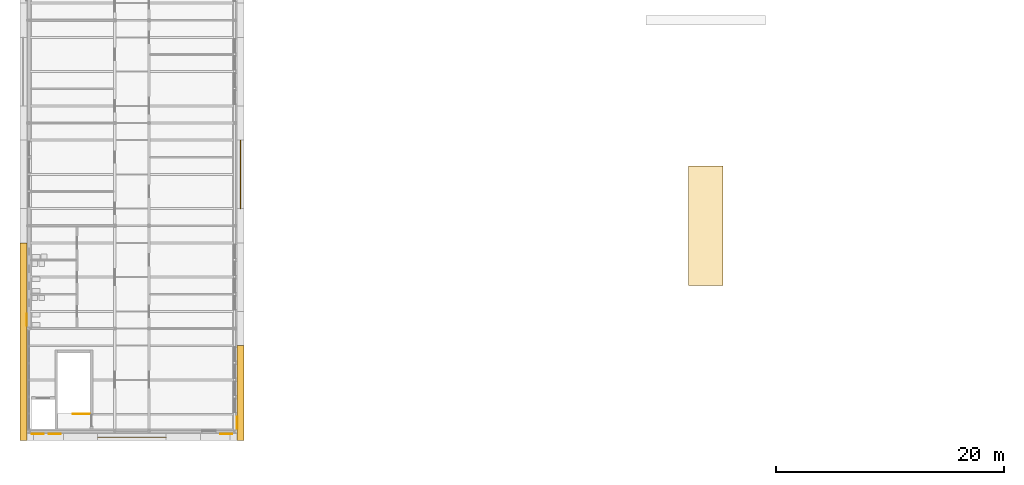
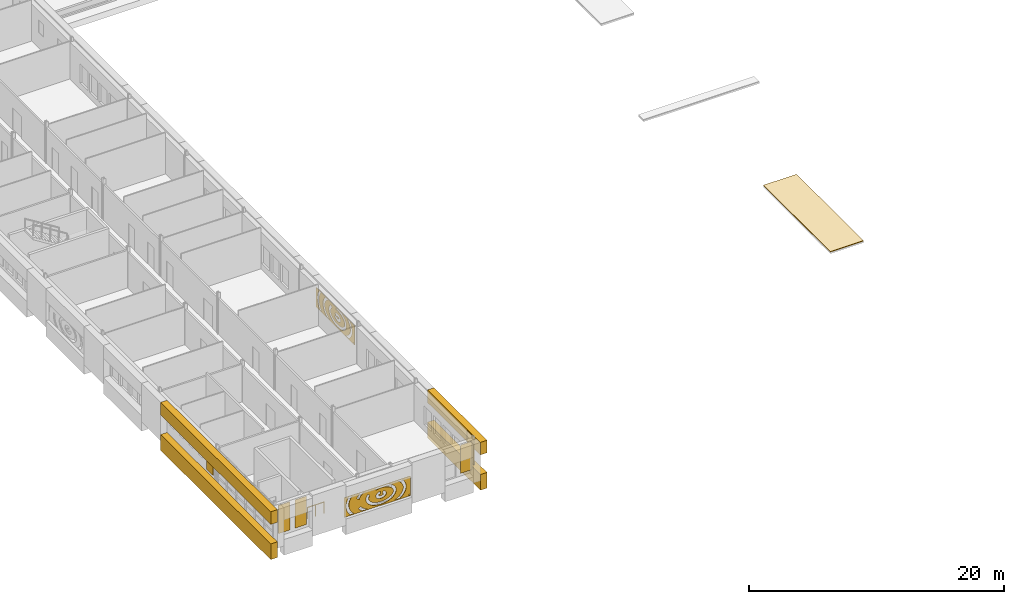
# One storey, part 34 of 42: 12 coverings, 1 railing.
"""IFC4 building model written with IfcOpenShell, lengths in metres."""

import ifcopenshell
import ifcopenshell.guid

model = None  # the IFC model being written
_history = None  # IfcOwnerHistory: only IFC2X3 demands one
_inside = {}  # id of a spatial element -> (the spatial element, [elements in it])
_under = {}  # id of a project, library or spatial element -> (it, [spatial elements below it])
_declared = {}  # id of a project -> (the project, [libraries it declares])
_typed = {}  # id of a type object -> (the type object, [elements of that type])
_made_of = {}  # id of a material, layer set ... -> (it, [elements and type objects made of it])


def new_model(schema):
    """Start an empty IFC model of exactly this schema.

    Asked for "IFC4X3", IfcOpenShell would pick the latest addendum, in which some entities
    have other attributes; the version numbers below select the first issue.
    IFC2X3 requires an IfcOwnerHistory on every rooted entity: one is made here for all.
    """
    global model, _history
    if schema == "IFC4X3":
        model = ifcopenshell.file(schema_version=(4, 3, 0, 0))
    else:
        model = ifcopenshell.file(schema=schema)
    _inside.clear()
    _under.clear()
    _declared.clear()
    _typed.clear()
    _made_of.clear()
    _history = None
    if model.schema == "IFC2X3":
        org = make("IfcOrganization", Name="unknown")
        user = make(
            "IfcPersonAndOrganization",
            ThePerson=make("IfcPerson", FamilyName="unknown"),
            TheOrganization=org,
        )
        app = make(
            "IfcApplication",
            ApplicationDeveloper=org,
            Version="unknown",
            ApplicationFullName="unknown",
            ApplicationIdentifier="unknown",
        )
        _history = make(
            "IfcOwnerHistory",
            OwningUser=user,
            OwningApplication=app,
            ChangeAction="ADDED",
            CreationDate=0,
        )
    return model


def make(cls, **values):
    """One entity of the class cls with the attributes given. An attribute that is None is left unset."""
    return model.create_entity(
        cls, **{name: value for name, value in values.items() if value is not None}
    )


def rooted(cls, **values):
    """An entity with a GlobalId (a new one), such as an element, a storey or a relation."""
    return make(cls, GlobalId=ifcopenshell.guid.new(), OwnerHistory=_history, **values)


def si_unit(unit_type, name, prefix=None):
    """IfcSIUnit, for example si_unit("LENGTHUNIT", "METRE", prefix="MILLI")."""
    return make("IfcSIUnit", UnitType=unit_type, Prefix=prefix, Name=name)


def assignment(units):
    """IfcUnitAssignment: the units of a project."""
    return None if units is None else make("IfcUnitAssignment", Units=units)


def point(xyz):
    """IfcCartesianPoint."""
    return None if xyz is None else make("IfcCartesianPoint", Coordinates=xyz)


def direction(xyz):
    """IfcDirection."""
    return None if xyz is None else make("IfcDirection", DirectionRatios=xyz)


def frame(location, z_axis=None, x_axis=None):
    """IfcAxis2Placement3D, a coordinate frame: its origin and axes. An axis left out is left unset."""
    return make(
        "IfcAxis2Placement3D",
        Location=point(location),
        Axis=direction(z_axis),
        RefDirection=direction(x_axis),
    )


def frame_2d(location, x_axis=None):
    """IfcAxis2Placement2D, a coordinate frame in the plane: its origin and x axis."""
    return make(
        "IfcAxis2Placement2D", Location=point(location), RefDirection=direction(x_axis)
    )


def origin():
    """The frame at (0, 0, 0) with its axes left unset."""
    return frame((0.0, 0.0, 0.0))


def origin_2d():
    """The frame at (0, 0) in the plane with its x axis left unset."""
    return frame_2d((0.0, 0.0))


def place(relative_to, where):
    """IfcLocalPlacement: puts the frame where relative to a parent placement (None: the world)."""
    return make(
        "IfcLocalPlacement", PlacementRelTo=relative_to, RelativePlacement=where
    )


def context(
    kind, dimensions, precision=None, world=None, true_north=None, identifier=None
):
    """IfcGeometricRepresentationContext, for example the 3D "Model" context."""
    return make(
        "IfcGeometricRepresentationContext",
        ContextIdentifier=identifier,
        ContextType=kind,
        CoordinateSpaceDimension=dimensions,
        Precision=precision,
        WorldCoordinateSystem=world,
        TrueNorth=true_north,
    )


def subcontext(parent, identifier, kind, view, scale=None):
    """IfcGeometricRepresentationSubContext, for example "Body" below "Model"."""
    return make(
        "IfcGeometricRepresentationSubContext",
        ContextIdentifier=identifier,
        ContextType=kind,
        ParentContext=parent,
        TargetScale=scale,
        TargetView=view,
    )


def project(units=None, contexts=None):
    """IfcProject with its units and contexts."""
    return rooted(
        "IfcProject",
        Name="project",
        RepresentationContexts=contexts,
        UnitsInContext=assignment(units),
    )


def spatial(cls, under=None, at=None, **own):
    """A site, building, storey or space (cls), placed at a placement, below another one or the project."""
    s = rooted(cls, ObjectPlacement=at, **own)
    if under is not None:
        _under.setdefault(under.id(), (under, []))[1].append(s)
    return s


def polyline(points):
    """IfcPolyline through the points."""
    return make("IfcPolyline", Points=[point(p) for p in points])


def profile(cls, at=None, kind="AREA", **sizes):
    """A parametric profile (cls). Its sizes go by their IFC names, for example OverallWidth=200.0."""
    return make(cls, ProfileType=kind, Position=at, **sizes)


def circle(**sizes):
    """IfcCircleProfileDef."""
    return profile("IfcCircleProfileDef", **sizes)


def outline(outer, holes=None, kind="AREA"):
    """IfcArbitraryClosedProfileDef: a profile drawn as a closed curve; with holes, ...WithVoids."""
    if holes is None:
        return make("IfcArbitraryClosedProfileDef", ProfileType=kind, OuterCurve=outer)
    return make(
        "IfcArbitraryProfileDefWithVoids",
        ProfileType=kind,
        OuterCurve=outer,
        InnerCurves=holes,
    )


def extrude(swept, where, along, depth):
    """IfcExtrudedAreaSolid: the profile swept, set in the frame where, extruded along a direction by depth."""
    return make(
        "IfcExtrudedAreaSolid",
        SweptArea=swept,
        Position=where,
        ExtrudedDirection=direction(along),
        Depth=depth,
    )


def shape(context_of_items, identifier, shape_type, items):
    """IfcShapeRepresentation: the items that make up one representation, for example the "Body"."""
    return make(
        "IfcShapeRepresentation",
        ContextOfItems=context_of_items,
        RepresentationIdentifier=identifier,
        RepresentationType=shape_type,
        Items=items,
    )


def material(Name=None, Category=None):
    """IfcMaterial."""
    return make("IfcMaterial", Name=Name, Category=Category)


def layer(
    of_material, thickness, ventilated=None, Name=None, Category=None, Priority=None
):
    """IfcMaterialLayer: one layer of a wall or slab, of a material (None: an air gap)."""
    return make(
        "IfcMaterialLayer",
        Material=of_material,
        LayerThickness=thickness,
        IsVentilated=ventilated,
        Name=Name,
        Category=Category,
        Priority=Priority,
    )


def layer_set(layers, Name=None):
    """IfcMaterialLayerSet."""
    return make("IfcMaterialLayerSet", MaterialLayers=layers, LayerSetName=Name)


def made_of(thing, what):
    """Note that an element or type object is made of a material, layer set ...; save() writes the relation."""
    if what is not None:
        _made_of.setdefault(what.id(), (what, []))[1].append(thing)
    return thing


def type_object(cls, material=None, **own):
    """A type object (cls), such as IfcWallType, which elements share."""
    return made_of(rooted(cls, **own), material)


def element(
    cls,
    number,
    at=None,
    inside=None,
    cuts=None,
    type_object=None,
    material=None,
    context=None,
    identifier="Body",
    shape_type=None,
    held_by="IfcProductDefinitionShape",
    body=None,
    shapes=None,
    **own,
):
    """One element of the class cls, such as IfcWall. Its Tag is "e" and its number.

    at: its placement. inside: the storey or other place that contains it. cuts: it is an
    opening in that element (IfcRelVoidsElement). A single representation is given by context,
    identifier, shape_type and body (its items); several are given by shapes. held_by: the class
    of the entity that holds the representations. save() writes the other relations.
    """
    e = rooted(cls, Tag="e%d" % number, ObjectPlacement=at, **own)
    if body is not None:
        shapes = [shape(context, identifier, shape_type, body)]
    if shapes is not None:
        e.Representation = make(held_by, Representations=shapes)
    if inside is not None:
        _inside.setdefault(inside.id(), (inside, []))[1].append(e)
    if cuts is not None:
        rooted(
            "IfcRelVoidsElement", RelatingBuildingElement=cuts, RelatedOpeningElement=e
        )
    if type_object is not None:
        _typed.setdefault(type_object.id(), (type_object, []))[1].append(e)
    return made_of(e, material)


def aggregate(whole, parts):
    """IfcRelAggregates: a whole, such as a stair, and the parts it consists of."""
    return rooted("IfcRelAggregates", RelatingObject=whole, RelatedObjects=parts)


def save(model, path):
    """Write the relations noted so far, then the file.

    IfcRelAggregates (storeys below a building ...), IfcRelContainedInSpatialStructure (elements
    in a storey), IfcRelDefinesByType, IfcRelAssociatesMaterial and IfcRelDeclares: one each for
    every whole, place, type object, material and project.
    """
    for whole, parts in _under.values():
        aggregate(whole, parts)
    for where, things in _inside.values():
        rooted(
            "IfcRelContainedInSpatialStructure",
            RelatedElements=things,
            RelatingStructure=where,
        )
    for kind, things in _typed.values():
        rooted("IfcRelDefinesByType", RelatedObjects=things, RelatingType=kind)
    for what, things in _made_of.values():
        rooted("IfcRelAssociatesMaterial", RelatedObjects=things, RelatingMaterial=what)
    for by, libraries in _declared.values():
        rooted("IfcRelDeclares", RelatingContext=by, RelatedDefinitions=libraries)
    model.write(path)


model = new_model("IFC4")

# Units and contexts
model_context = context("Model", 3, precision=1e-05, world=origin(), true_north=direction((0.0, 1.0)))
body_context = subcontext(model_context, "Body", "Model", "MODEL_VIEW")
ifc_project = project(units=[si_unit("LENGTHUNIT", "METRE"), si_unit("AREAUNIT", "SQUARE_METRE"), si_unit("VOLUMEUNIT", "CUBIC_METRE"), si_unit("PLANEANGLEUNIT", "RADIAN"), si_unit("MASSUNIT", "GRAM", prefix="KILO")], contexts=[model_context])

# Site, building, storey
site_placement = place(None, origin())
site = spatial("IfcSite", under=ifc_project, at=site_placement, CompositionType="ELEMENT")
building_placement = place(site_placement, origin())
building = spatial("IfcBuilding", under=site, at=building_placement, Name="Golden Quay Civic Hall", CompositionType="ELEMENT")
storey_placement = place(building_placement, frame((0.0, 0.0, 22.800048828125)))
storey = spatial("IfcBuildingStorey", under=building, at=storey_placement, Name="L05", CompositionType="ELEMENT", Elevation=22.800048828125)

# Coverings
ifc_material_1 = material(Name="Clay roof tile")
ifc_layer_1 = layer(ifc_material_1, 0.06005859375)
ifc_layer_set_1 = layer_set([ifc_layer_1], Name="Clay roof tile 60")
covering_type_1 = type_object("IfcCoveringType", Name="Clay roof tile 60", PredefinedType="ROOFING", material=ifc_layer_set_1)
covering_1_placement = place(storey_placement, frame((0.0, 0.0, -0.1474609375)))
element("IfcCovering", 1, at=covering_1_placement, inside=storey, type_object=covering_type_1, Name="Roof tiles WM-S cap", PredefinedType="ROOFING", context=body_context, shape_type="SweptSolid", body=[
    extrude(outline(polyline([(57.75, 3.75), (60.75, 3.75), (60.75, 14.25), (57.75, 14.25), (57.75, 3.75)])), origin(), (0.0, 0.0, 1.0), 0.059814453125),
])
ifc_material_2 = material(Name="Aluminium, golden anodised, perforated", Category="aluminium")
ifc_layer_2 = layer(ifc_material_2, 0.0400390625)
ifc_layer_set_2 = layer_set([ifc_layer_2], Name="Perforated screen panel 6000 x 1880 x 40")
covering_type_2 = type_object("IfcCoveringType", Name="Perforated screen panel 6000 x 1880 x 40", PredefinedType="CLADDING", material=ifc_layer_set_2)
covering_2_placement = place(storey_placement, frame((18.5, 13.5, 1.5400390625), z_axis=(1.0, 0.0, 0.0), x_axis=(0.0, 1.0, 0.0)))
element("IfcCovering", 2, at=covering_2_placement, inside=storey, type_object=covering_type_2, Name="Perforated screen panel 6000 x 1880 x 40 L05 4", PredefinedType="CLADDING", context=body_context, shape_type="SweptSolid", body=[
    extrude(outline(polyline([(-3.0, -0.93994140625), (3.0, -0.93994140625), (3.0, 0.93994140625), (-3.0, 0.93994140625), (-3.0, -0.93994140625)]), holes=[polyline([(-0.148681640625, 0.11083984375), (-0.189208984375, 0.136962890625), (-0.24951171875, 0.158447265625), (-0.32177734375, 0.169677734375), (-0.37255859375, 0.169921875), (-0.422119140625, 0.164306640625), (-0.48828125, 0.146484375), (-0.53759765625, 0.12158203125), (-0.55810546875, 0.1044921875), (-0.571533203125, 0.08642578125), (-0.571044921875, 0.07275390625), (-0.556396484375, 0.053466796875), (-0.534423828125, 0.036376953125), (-0.502685546875, 0.019287109375), (-0.462646484375, 0.0048828125), (-0.41650390625, -0.00537109375), (-0.34130859375, -0.010498046875), (-0.26708984375, -0.00244140625), (-0.202880859375, 0.016845703125), (-0.169921875, 0.03369140625), (-0.146484375, 0.051025390625), (-0.133056640625, 0.06591796875), (-0.124267578125, 0.08349609375), (0.106201171875, -0.02099609375), (0.077880859375, -0.073974609375), (0.04541015625, -0.114990234375), (-0.001220703125, -0.156982421875), (-0.04150390625, -0.184326171875), (-0.100830078125, -0.214599609375), (-0.1748046875, -0.240234375), (-0.220947265625, -0.251220703125), (-0.2998046875, -0.26171875), (-0.37255859375, -0.262939453125), (-0.412353515625, -0.260498046875), (-0.49853515625, -0.2470703125), (-0.56591796875, -0.2275390625), (-0.6015625, -0.21337890625), (-0.668212890625, -0.17822265625), (-0.7080078125, -0.149658203125), (-0.736328125, -0.1240234375), (-0.761962890625, -0.095703125), (-0.7841796875, -0.064208984375), (-0.802490234375, -0.02978515625), (-0.81591796875, 0.007080078125), (-0.825927734375, 0.06591796875), (-0.822509765625, 0.123779296875), (-0.813232421875, 0.16162109375), (-0.799072265625, 0.197021484375), (-0.780517578125, 0.229736328125), (-0.758544921875, 0.260009765625), (-0.70556640625, 0.3115234375), (-0.6435546875, 0.352783203125), (-0.574462890625, 0.384521484375), (-0.5, 0.40673828125), (-0.461181640625, 0.414306640625), (-0.389404296875, 0.42236328125), (-0.30908203125, 0.422119140625), (-0.261962890625, 0.417724609375), (-0.183837890625, 0.402587890625), (-0.11767578125, 0.38134765625), (-0.073974609375, 0.362060546875), (-0.017578125, 0.328857421875), (0.021240234375, 0.29833984375), (0.063720703125, 0.25341796875), (-0.12939453125, 0.090087890625), (-0.148681640625, 0.11083984375)]), polyline([(-0.28271484375, 0.727294921875), (-0.37158203125, 0.728515625), (-0.460205078125, 0.725341796875), (-0.54833984375, 0.718017578125), (-0.63525390625, 0.70654296875), (-0.72021484375, 0.69140625), (-0.802734375, 0.672119140625), (-0.88232421875, 0.64892578125), (-0.95849609375, 0.62255859375), (-1.030517578125, 0.592529296875), (-1.098388671875, 0.559814453125), (-1.1611328125, 0.524169921875), (-1.21875, 0.486083984375), (-1.27099609375, 0.4462890625), (-1.317138671875, 0.404541015625), (-1.357421875, 0.36181640625), (-1.391357421875, 0.318115234375), (-1.419189453125, 0.274169921875), (-1.441162109375, 0.230224609375), (-1.457275390625, 0.186279296875), (-1.4677734375, 0.142578125), (-1.472900390625, 0.09912109375), (-1.472412109375, 0.0556640625), (-1.466796875, 0.01220703125), (-1.455810546875, -0.031494140625), (-1.43896484375, -0.075439453125), (-1.416259765625, -0.119384765625), (-1.3876953125, -0.163330078125), (-1.352783203125, -0.206787109375), (-1.31201171875, -0.24951171875), (-1.264892578125, -0.291015625), (-1.21240234375, -0.330810546875), (-1.154052734375, -0.368408203125), (-1.090576171875, -0.40380859375), (-1.022216796875, -0.436279296875), (-0.94970703125, -0.4658203125), (-0.873046875, -0.491943359375), (-0.793212890625, -0.514404296875), (-0.710205078125, -0.533203125), (-0.625, -0.548095703125), (-0.5380859375, -0.55908203125), (-0.449951171875, -0.56591796875), (-0.361083984375, -0.568603515625), (-0.272216796875, -0.56689453125), (-0.18359375, -0.561279296875), (-0.096435546875, -0.55126953125), (-0.0107421875, -0.537353515625), (0.07275390625, -0.51953125), (0.153564453125, -0.497802734375), (0.23095703125, -0.47265625), (0.3046875, -0.44384765625), (0.3740234375, -0.412109375), (0.438720703125, -0.37744140625), (0.498291015625, -0.34033203125), (0.552490234375, -0.301025390625), (0.600830078125, -0.260009765625), (0.643310546875, -0.217529296875), (0.6796875, -0.17431640625), (0.709716796875, -0.13037109375), (0.73388671875, -0.086181640625), (0.752197265625, -0.042236328125), (0.7646484375, 0.00146484375), (0.771484375, 0.044921875), (0.773193359375, 0.08837890625), (0.76953125, 0.1318359375), (0.760498046875, 0.17529296875), (0.745849609375, 0.21923828125), (0.725341796875, 0.26318359375), (0.698974609375, 0.307373046875), (0.666259765625, 0.35107421875), (0.627685546875, 0.39404296875), (0.5830078125, 0.43603515625), (0.528564453125, 0.4794921875), (0.6865234375, 0.677001953125), (0.74462890625, 0.630615234375), (0.8046875, 0.57470703125), (0.8583984375, 0.515625), (0.905517578125, 0.453369140625), (0.945556640625, 0.3876953125), (0.97802734375, 0.3193359375), (1.002685546875, 0.24853515625), (1.018798828125, 0.17578125), (1.02587890625, 0.10205078125), (1.02392578125, 0.027587890625), (1.01318359375, -0.046142578125), (0.993408203125, -0.11865234375), (0.96484375, -0.189208984375), (0.928466796875, -0.25732421875), (0.884521484375, -0.322509765625), (0.83349609375, -0.38427734375), (0.768310546875, -0.449462890625), (0.704833984375, -0.5029296875), (0.643310546875, -0.547607421875), (0.561767578125, -0.598388671875), (0.48291015625, -0.640380859375), (0.399658203125, -0.67822265625), (0.312744140625, -0.7119140625), (0.228759765625, -0.7392578125), (0.12890625, -0.76611328125), (0.032958984375, -0.78662109375), (-0.06494140625, -0.80224609375), (-0.164306640625, -0.813232421875), (-0.2646484375, -0.819580078125), (-0.359619140625, -0.8212890625), (-0.460205078125, -0.818603515625), (-0.560546875, -0.81103515625), (-0.659423828125, -0.798828125), (-0.76318359375, -0.780517578125), (-0.852294921875, -0.760498046875), (-0.945068359375, -0.734375), (-1.03466796875, -0.7041015625), (-1.12060546875, -0.669189453125), (-1.202880859375, -0.63037109375), (-1.280517578125, -0.58740234375), (-1.361083984375, -0.535400390625), (-1.421142578125, -0.489990234375), (-1.4833984375, -0.435546875), (-1.546875, -0.369140625), (-1.59619140625, -0.306640625), (-1.63818359375, -0.24072265625), (-1.6669921875, -0.184814453125), (-1.694580078125, -0.11474609375), (-1.7138671875, -0.042724609375), (-1.724365234375, 0.03076171875), (-1.724853515625, 0.12060546875), (-1.715576171875, 0.194091796875), (-1.70166015625, 0.252197265625), (-1.67626953125, 0.32373046875), (-1.642822265625, 0.392822265625), (-1.6015625, 0.458984375), (-1.552978515625, 0.52197265625), (-1.497802734375, 0.58154296875), (-1.436279296875, 0.637451171875), (-1.36181640625, 0.69482421875), (-1.28955078125, 0.7421875), (-1.219482421875, 0.78173828125), (-1.130615234375, 0.824951171875), (-1.0517578125, 0.857666015625), (-0.98779296875, 0.8798828125), (-0.085693359375, 0.8798828125), (-0.103515625, 0.71240234375), (-0.194091796875, 0.72216796875), (-0.28271484375, 0.727294921875)]), polyline([(-1.856689453125, 0.8798828125), (-1.965087890625, 0.802001953125), (-2.039794921875, 0.73876953125), (-2.107177734375, 0.673095703125), (-2.167236328125, 0.605712890625), (-2.219482421875, 0.536865234375), (-2.26416015625, 0.466552734375), (-2.30126953125, 0.395751953125), (-2.330322265625, 0.32421875), (-2.35205078125, 0.252197265625), (-2.3662109375, 0.180419921875), (-2.372802734375, 0.108154296875), (-2.3720703125, 0.0361328125), (-2.36376953125, -0.035888671875), (-2.347900390625, -0.10791015625), (-2.32470703125, -0.1796875), (-2.293701171875, -0.251220703125), (-2.255126953125, -0.322021484375), (-2.208740234375, -0.391845703125), (-2.15478515625, -0.46044921875), (-2.093017578125, -0.527587890625), (-2.024169921875, -0.5927734375), (-1.947998046875, -0.655517578125), (-1.86474609375, -0.715576171875), (-1.77490234375, -0.7724609375), (-1.67919921875, -0.825927734375), (-1.568115234375, -0.8798828125), (-2.06884765625, -0.8798828125), (-2.09912109375, -0.858154296875), (-2.18798828125, -0.78515625), (-2.2763671875, -0.701904296875), (-2.34423828125, -0.628173828125), (-2.41064453125, -0.544189453125), (-2.468994140625, -0.457275390625), (-2.5185546875, -0.3671875), (-2.55908203125, -0.27490234375), (-2.590576171875, -0.18017578125), (-2.6123046875, -0.083740234375), (-2.6240234375, 0.013916015625), (-2.625732421875, 0.11181640625), (-2.617431640625, 0.2099609375), (-2.59619140625, 0.3193359375), (-2.56689453125, 0.414306640625), (-2.5283203125, 0.50732421875), (-2.48046875, 0.597900390625), (-2.424072265625, 0.685546875), (-2.365478515625, 0.7626953125), (-2.293212890625, 0.8447265625), (-2.257080078125, 0.8798828125), (-1.856689453125, 0.8798828125)]), polyline([(0.867919921875, -0.8798828125), (0.981689453125, -0.82470703125), (1.077392578125, -0.77099609375), (1.1669921875, -0.714111328125), (1.25, -0.65380859375), (1.325927734375, -0.591064453125), (1.394775390625, -0.52587890625), (1.456298828125, -0.458740234375), (1.510009765625, -0.39013671875), (1.55615234375, -0.3203125), (1.5947265625, -0.24951171875), (1.62548828125, -0.177978515625), (1.6484375, -0.106201171875), (1.6640625, -0.0341796875), (1.672119140625, 0.037841796875), (1.672607421875, 0.110107421875), (1.666015625, 0.18212890625), (1.651611328125, 0.254150390625), (1.6298828125, 0.325927734375), (1.600341796875, 0.3974609375), (1.563232421875, 0.468505859375), (1.518310546875, 0.53857421875), (1.4658203125, 0.607421875), (1.405517578125, 0.6748046875), (1.337890625, 0.740234375), (1.26318359375, 0.803466796875), (1.156982421875, 0.8798828125), (1.557373046875, 0.8798828125), (1.59130859375, 0.8466796875), (1.663818359375, 0.7646484375), (1.72265625, 0.687744140625), (1.779296875, 0.60009765625), (1.83203125, 0.499267578125), (1.865966796875, 0.416748046875), (1.8955078125, 0.321533203125), (1.9169921875, 0.21240234375), (1.925048828125, 0.127197265625), (1.925048828125, 0.029296875), (1.91259765625, -0.081298828125), (1.89111328125, -0.177734375), (1.860107421875, -0.2724609375), (1.819580078125, -0.364990234375), (1.770263671875, -0.455078125), (1.71240234375, -0.5419921875), (1.652099609375, -0.61865234375), (1.578125, -0.7001953125), (1.49658203125, -0.777587890625), (1.40771484375, -0.851318359375), (1.368896484375, -0.8798828125), (0.867919921875, -0.8798828125)]), polyline([(-2.93994140625, -0.732177734375), (-2.83642578125, -0.843017578125), (-2.79638671875, -0.8798828125), (-2.93994140625, -0.8798828125), (-2.93994140625, -0.732177734375)]), polyline([(2.178955078125, -0.80029296875), (2.255615234375, -0.71533203125), (2.323974609375, -0.62841796875), (2.38427734375, -0.5400390625), (2.436279296875, -0.4501953125), (2.47998046875, -0.359375), (2.51513671875, -0.267578125), (2.5419921875, -0.17529296875), (2.560791015625, -0.082763671875), (2.571044921875, 0.010009765625), (2.5732421875, 0.10302734375), (2.56689453125, 0.196044921875), (2.552490234375, 0.288818359375), (2.52978515625, 0.381103515625), (2.498779296875, 0.47314453125), (2.459228515625, 0.564453125), (2.41162109375, 0.65478515625), (2.35546875, 0.744140625), (2.291015625, 0.831787109375), (2.25048828125, 0.8798828125), (2.568603515625, 0.8798828125), (2.6328125, 0.77734375), (2.685302734375, 0.67822265625), (2.73291015625, 0.568603515625), (2.774169921875, 0.447021484375), (2.801513671875, 0.3330078125), (2.819091796875, 0.218505859375), (2.826171875, 0.10302734375), (2.822998046875, -0.01220703125), (2.809814453125, -0.127197265625), (2.7890625, -0.23046875), (2.753173828125, -0.353515625), (2.710205078125, -0.464111328125), (2.662109375, -0.56396484375), (2.595947265625, -0.678466796875), (2.525390625, -0.781494140625), (2.447509765625, -0.8798828125), (2.097412109375, -0.8798828125), (2.178955078125, -0.80029296875)])]), origin(), (0.0, 0.0, 1.0), 0.0400390625),
])
covering_3_placement = place(storey_placement, frame((9.0, -9.5, 1.5400390625), z_axis=(0.0, -1.0, 0.0), x_axis=(1.0, 0.0, 0.0)))
element("IfcCovering", 3, at=covering_3_placement, inside=storey, type_object=covering_type_2, Name="Perforated screen panel 6000 x 1880 x 40 L05 6", PredefinedType="CLADDING", context=body_context, shape_type="SweptSolid", body=[
    extrude(outline(polyline([(-3.0, -0.93994140625), (3.0, -0.93994140625), (3.0, 0.93994140625), (-3.0, 0.93994140625), (-3.0, -0.93994140625)]), holes=[polyline([(0.25927734375, 0.160888671875), (0.197021484375, 0.140380859375), (0.153076171875, 0.114501953125), (0.136474609375, 0.0986328125), (0.12744140625, 0.083740234375), (0.12841796875, 0.073486328125), (0.135498046875, 0.0625), (0.162841796875, 0.038330078125), (0.212158203125, 0.01318359375), (0.278564453125, -0.00439453125), (0.328125, -0.010009765625), (0.37890625, -0.009521484375), (0.451171875, 0.001708984375), (0.4931640625, 0.015380859375), (0.54052734375, 0.040771484375), (0.56005859375, 0.057373046875), (0.56982421875, 0.0703125), (0.5732421875, 0.0791015625), (0.570556640625, 0.08837890625), (0.55419921875, 0.1083984375), (0.531005859375, 0.125732421875), (0.474609375, 0.151611328125), (0.56494140625, 0.387939453125), (0.635986328125, 0.35693359375), (0.69140625, 0.322509765625), (0.74658203125, 0.2734375), (0.779052734375, 0.232177734375), (0.806884765625, 0.178955078125), (0.822509765625, 0.1240234375), (0.82568359375, 0.064697265625), (0.816162109375, 0.0078125), (0.793701171875, -0.0478515625), (0.764404296875, -0.0927734375), (0.721923828125, -0.1376953125), (0.68310546875, -0.168212890625), (0.626953125, -0.20166015625), (0.554931640625, -0.231201171875), (0.509521484375, -0.244384765625), (0.431640625, -0.258544921875), (0.359130859375, -0.26318359375), (0.279296875, -0.259765625), (0.201171875, -0.246826171875), (0.1552734375, -0.234619140625), (0.08251953125, -0.206298828125), (0.025146484375, -0.174072265625), (-0.03271484375, -0.127685546875), (-0.06689453125, -0.089111328125), (-0.0986328125, -0.037841796875), (-0.1181640625, 0.014892578125), (-0.126220703125, 0.07421875), (-0.12109375, 0.132080078125), (-0.102783203125, 0.18896484375), (-0.076171875, 0.236328125), (-0.037109375, 0.283447265625), (0.00048828125, 0.31640625), (0.0546875, 0.351806640625), (0.125, 0.38427734375), (0.200439453125, 0.40673828125), (0.279296875, 0.419921875), (0.311279296875, 0.1689453125), (0.25927734375, 0.160888671875)]), polyline([(-0.719482421875, 0.27392578125), (-0.741455078125, 0.22998046875), (-0.75732421875, 0.18603515625), (-0.767822265625, 0.142333984375), (-0.772705078125, 0.098876953125), (-0.7724609375, 0.055419921875), (-0.766845703125, 0.011962890625), (-0.755615234375, -0.03173828125), (-0.73876953125, -0.07568359375), (-0.71630859375, -0.11962890625), (-0.6875, -0.16357421875), (-0.652587890625, -0.207275390625), (-0.61181640625, -0.249755859375), (-0.564697265625, -0.291259765625), (-0.511962890625, -0.3310546875), (-0.45361328125, -0.36865234375), (-0.39013671875, -0.404052734375), (-0.32177734375, -0.4365234375), (-0.2490234375, -0.466064453125), (-0.172607421875, -0.4921875), (-0.092529296875, -0.5146484375), (-0.009765625, -0.533447265625), (0.075439453125, -0.54833984375), (0.16259765625, -0.55908203125), (0.250732421875, -0.56591796875), (0.339599609375, -0.568603515625), (0.428466796875, -0.56689453125), (0.516845703125, -0.56103515625), (0.60400390625, -0.55126953125), (0.689697265625, -0.537353515625), (0.773193359375, -0.519287109375), (0.85400390625, -0.497802734375), (0.931396484375, -0.472412109375), (1.0048828125, -0.44384765625), (1.074462890625, -0.411865234375), (1.13916015625, -0.377197265625), (1.19873046875, -0.340087890625), (1.252685546875, -0.30078125), (1.301025390625, -0.259765625), (1.343505859375, -0.21728515625), (1.3798828125, -0.174072265625), (1.409912109375, -0.130126953125), (1.43408203125, -0.0859375), (1.4521484375, -0.0419921875), (1.464599609375, 0.001708984375), (1.4716796875, 0.045166015625), (1.47314453125, 0.088623046875), (1.469482421875, 0.132080078125), (1.46044921875, 0.17578125), (1.44580078125, 0.219482421875), (1.42529296875, 0.263427734375), (1.398681640625, 0.3076171875), (1.3662109375, 0.351318359375), (1.327392578125, 0.394287109375), (1.28271484375, 0.436279296875), (1.23193359375, 0.476806640625), (1.175537109375, 0.51513671875), (1.114013671875, 0.551513671875), (1.04736328125, 0.5849609375), (0.976318359375, 0.615478515625), (0.90087890625, 0.642822265625), (0.822265625, 0.666748046875), (0.740478515625, 0.68701171875), (0.656005859375, 0.703369140625), (0.569580078125, 0.715576171875), (0.481689453125, 0.723876953125), (0.39306640625, 0.72802734375), (0.30419921875, 0.72802734375), (0.215576171875, 0.7236328125), (0.127685546875, 0.71533203125), (0.04150390625, 0.702880859375), (-0.04296875, 0.686279296875), (-0.1279296875, 0.665283203125), (-0.181396484375, 0.8798828125), (0.989013671875, 0.8798828125), (1.07275390625, 0.849365234375), (1.15771484375, 0.8125), (1.238525390625, 0.771484375), (1.314697265625, 0.726318359375), (1.37841796875, 0.682861328125), (1.4443359375, 0.630859375), (1.504150390625, 0.5751953125), (1.55810546875, 0.51611328125), (1.605224609375, 0.45361328125), (1.6455078125, 0.38818359375), (1.677978515625, 0.31982421875), (1.702392578125, 0.2490234375), (1.718505859375, 0.176513671875), (1.725830078125, 0.1025390625), (1.72265625, 0.012939453125), (1.7099609375, -0.060302734375), (1.688720703125, -0.1318359375), (1.6650390625, -0.18896484375), (1.62890625, -0.257080078125), (1.57763671875, -0.331787109375), (1.5263671875, -0.39208984375), (1.46875, -0.44921875), (1.412841796875, -0.49658203125), (1.336181640625, -0.55224609375), (1.26220703125, -0.598388671875), (1.1904296875, -0.63671875), (1.10693359375, -0.67529296875), (1.01318359375, -0.711669921875), (0.9228515625, -0.7412109375), (0.835693359375, -0.764404296875), (0.7333984375, -0.786376953125), (0.6357421875, -0.80224609375), (0.542236328125, -0.812744140625), (0.435791015625, -0.819580078125), (0.341064453125, -0.8212890625), (0.240234375, -0.818603515625), (0.134033203125, -0.810546875), (0.041015625, -0.798828125), (-0.056396484375, -0.781982421875), (-0.151611328125, -0.760498046875), (-0.244384765625, -0.734619140625), (-0.3408203125, -0.70166015625), (-0.420166015625, -0.66943359375), (-0.50244140625, -0.630615234375), (-0.58740234375, -0.58349609375), (-0.653076171875, -0.541015625), (-0.720703125, -0.490234375), (-0.79052734375, -0.4287109375), (-0.839111328125, -0.378173828125), (-0.888671875, -0.31689453125), (-0.93798828125, -0.2412109375), (-0.966796875, -0.18505859375), (-0.994384765625, -0.115234375), (-1.0166015625, -0.0283203125), (-1.024169921875, 0.0302734375), (-1.02587890625, 0.1044921875), (-1.015625, 0.193603515625), (-0.99755859375, 0.265869140625), (-0.9765625, 0.3232421875), (-0.9365234375, 0.40380859375), (-0.894775390625, 0.46875), (-0.853515625, 0.521484375), (-0.654052734375, 0.365966796875), (-0.691650390625, 0.31787109375), (-0.719482421875, 0.27392578125)]), polyline([(-1.37841796875, -0.542236328125), (-1.3076171875, -0.60693359375), (-1.22998046875, -0.669189453125), (-1.145263671875, -0.728515625), (-1.05419921875, -0.78466796875), (-0.956787109375, -0.83740234375), (-0.867919921875, -0.8798828125), (-1.36962890625, -0.8798828125), (-1.46875, -0.802001953125), (-1.55224609375, -0.72607421875), (-1.62841796875, -0.646484375), (-1.696533203125, -0.563232421875), (-1.50048828125, -0.4033203125), (-1.441650390625, -0.4755859375), (-1.37841796875, -0.542236328125)]), polyline([(1.56689453125, -0.8798828125), (1.70361328125, -0.81298828125), (1.7978515625, -0.758544921875), (1.885986328125, -0.70068359375), (1.967529296875, -0.64013671875), (2.0419921875, -0.57666015625), (2.109130859375, -0.510986328125), (2.1689453125, -0.443603515625), (2.220947265625, -0.37451171875), (2.265380859375, -0.304443359375), (2.30224609375, -0.2333984375), (2.331298828125, -0.161865234375), (2.3525390625, -0.090087890625), (2.366455078125, -0.01806640625), (2.372802734375, 0.053955078125), (2.371826171875, 0.126220703125), (2.36328125, 0.1982421875), (2.347412109375, 0.270263671875), (2.323974609375, 0.342041015625), (2.292724609375, 0.413330078125), (2.25390625, 0.484130859375), (2.207275390625, 0.553955078125), (2.153076171875, 0.62255859375), (2.091064453125, 0.689697265625), (2.021728515625, 0.754638671875), (1.9453125, 0.8173828125), (1.857666015625, 0.8798828125), (2.2578125, 0.8798828125), (2.348388671875, 0.783203125), (2.40869140625, 0.706787109375), (2.46728515625, 0.6201171875), (2.51708984375, 0.530029296875), (2.55810546875, 0.437744140625), (2.593017578125, 0.3310546875), (2.61181640625, 0.24658203125), (2.623779296875, 0.149169921875), (2.62548828125, 0.0380859375), (2.6162109375, -0.0595703125), (2.599853515625, -0.14404296875), (2.56787109375, -0.25146484375), (2.529541015625, -0.344482421875), (2.482177734375, -0.43505859375), (2.426025390625, -0.52294921875), (2.36767578125, -0.60009765625), (2.29541015625, -0.68212890625), (2.215576171875, -0.7607421875), (2.12841796875, -0.835205078125), (2.06884765625, -0.8798828125), (1.56689453125, -0.8798828125)]), polyline([(-1.1572265625, 0.8798828125), (-1.252197265625, 0.81201171875), (-1.328125, 0.7490234375), (-1.396728515625, 0.683837890625), (-1.4580078125, 0.61669921875), (-1.51171875, 0.548095703125), (-1.5576171875, 0.47802734375), (-1.595703125, 0.4072265625), (-1.628662109375, 0.330078125), (-1.861083984375, 0.429443359375), (-1.821044921875, 0.522216796875), (-1.77197265625, 0.6123046875), (-1.72021484375, 0.691162109375), (-1.648193359375, 0.783447265625), (-1.5576171875, 0.8798828125), (-1.1572265625, 0.8798828125)]), polyline([(2.832763671875, -0.8466796875), (2.913818359375, -0.762939453125), (2.93994140625, -0.732177734375), (2.93994140625, -0.8798828125), (2.79638671875, -0.8798828125), (2.832763671875, -0.8466796875)]), polyline([(-2.285400390625, 0.8388671875), (-2.3505859375, 0.751220703125), (-2.4072265625, 0.662109375), (-2.455810546875, 0.572021484375), (-2.495849609375, 0.480712890625), (-2.527587890625, 0.388671875), (-2.551025390625, 0.29638671875), (-2.566162109375, 0.20361328125), (-2.572998046875, 0.110595703125), (-2.571533203125, 0.017578125), (-2.56201171875, -0.0751953125), (-2.5439453125, -0.16796875), (-2.517578125, -0.26025390625), (-2.48291015625, -0.351806640625), (-2.440185546875, -0.44287109375), (-2.388916015625, -0.53271484375), (-2.3291015625, -0.621337890625), (-2.261474609375, -0.70849609375), (-2.185546875, -0.79345703125), (-2.097412109375, -0.8798828125), (-2.447265625, -0.8798828125), (-2.53662109375, -0.76611328125), (-2.606201171875, -0.662109375), (-2.666748046875, -0.555419921875), (-2.718017578125, -0.44580078125), (-2.759521484375, -0.33447265625), (-2.791259765625, -0.22119140625), (-2.81298828125, -0.10693359375), (-2.824462890625, 0.00830078125), (-2.82568359375, 0.12353515625), (-2.816650390625, 0.23876953125), (-2.7998046875, 0.34228515625), (-2.771484375, 0.4560546875), (-2.733154296875, 0.568115234375), (-2.685302734375, 0.67822265625), (-2.627685546875, 0.785888671875), (-2.568359375, 0.8798828125), (-2.25048828125, 0.8798828125), (-2.285400390625, 0.8388671875)])]), origin(), (0.0, 0.0, 1.0), 0.0400390625),
])

# Railing
ifc_material_3 = material(Name="Steel S355", Category="steel")
railing_type = type_object("IfcRailingType", Name="Steel guard 1100", PredefinedType="GUARDRAIL", material=ifc_material_3)
railing_placement = place(storey_placement, frame((5.35009765625, -7.5, 0.0)))
element("IfcRailing", 4, at=railing_placement, inside=storey, type_object=railing_type, Name="L05 WO-S top well guard 1", PredefinedType="GUARDRAIL", context=body_context, shape_type="SweptSolid", body=[
    extrude(circle(Radius=0.02392578125, at=origin_2d()), frame((0.0, 0.0, 1.076171875), z_axis=(-1.0, 0.0, 0.0), x_axis=(0.0, -1.0, 0.0)), (0.0, 0.0, 1.0), 1.5),
    extrude(circle(Radius=0.02099609375, at=origin_2d()), origin(), (0.0, 0.0, 1.0), 1.052001953125),
    extrude(circle(Radius=0.02099609375, at=origin_2d()), frame((-0.75, 0.0, 0.0)), (0.0, 0.0, 1.0), 1.052001953125),
    extrude(circle(Radius=0.02099609375, at=origin_2d()), frame((-1.5, 0.0, 0.0)), (0.0, 0.0, 1.0), 1.052001953125),
])

# Coverings
ifc_material_4 = material(Name="Terracotta cladding, golden glaze", Category="masonry")
ifc_layer_3 = layer(ifc_material_4, 0.050048828125)
ifc_layer_set_3 = layer_set([ifc_layer_3], Name="Terracotta solid panel 1050 x 2700 x 50")
covering_type_3 = type_object("IfcCoveringType", Name="Terracotta solid panel 1050 x 2700 x 50", PredefinedType="CLADDING", material=ifc_layer_set_3)
covering_4_placement = place(storey_placement, frame((0.0, 0.0, 0.89990234375)))
element("IfcCovering", 5, at=covering_4_placement, inside=storey, type_object=covering_type_3, Name="Terracotta solid panel 1050 x 2700 x 50 L05 1", PredefinedType="CLADDING", context=body_context, shape_type="SweptSolid", body=[
    extrude(outline(polyline([(-0.199951171875, 0.22509765625), (-0.199951171875, 1.27490234375), (-0.25, 1.27490234375), (-0.25, 0.22509765625), (-0.199951171875, 0.22509765625)])), origin(), (0.0, 0.0, 1.0), 2.699951171875),
])
covering_5_placement = place(storey_placement, frame((0.0, 0.0, 0.89990234375)))
element("IfcCovering", 6, at=covering_5_placement, inside=storey, type_object=covering_type_3, Name="Terracotta solid panel 1050 x 2700 x 50 L05 11", PredefinedType="CLADDING", context=body_context, shape_type="SweptSolid", body=[
    extrude(outline(polyline([(18.199951171875, -8.77490234375), (18.199951171875, -7.72509765625), (18.25, -7.72509765625), (18.25, -8.77490234375), (18.199951171875, -8.77490234375)])), origin(), (0.0, 0.0, 1.0), 2.699951171875),
])
covering_6_placement = place(storey_placement, frame((0.0, 0.0, 0.89990234375)))
element("IfcCovering", 7, at=covering_6_placement, inside=storey, type_object=covering_type_3, Name="Terracotta solid panel 1050 x 2700 x 50 L05 13", PredefinedType="CLADDING", context=body_context, shape_type="SweptSolid", body=[
    extrude(outline(polyline([(0.22509765625, -9.199951171875), (1.27490234375, -9.199951171875), (1.27490234375, -9.25), (0.22509765625, -9.25), (0.22509765625, -9.199951171875)])), origin(), (0.0, 0.0, 1.0), 2.699951171875),
])
covering_7_placement = place(storey_placement, frame((0.0, 0.0, 0.89990234375)))
element("IfcCovering", 8, at=covering_7_placement, inside=storey, type_object=covering_type_3, Name="Terracotta solid panel 1050 x 2700 x 50 L05 14", PredefinedType="CLADDING", context=body_context, shape_type="SweptSolid", body=[
    extrude(outline(polyline([(1.72509765625, -9.199951171875), (2.77490234375, -9.199951171875), (2.77490234375, -9.25), (1.72509765625, -9.25), (1.72509765625, -9.199951171875)])), origin(), (0.0, 0.0, 1.0), 2.699951171875),
])
covering_8_placement = place(storey_placement, frame((0.0, 0.0, 0.89990234375)))
element("IfcCovering", 9, at=covering_8_placement, inside=storey, type_object=covering_type_3, Name="Terracotta solid panel 1050 x 2700 x 50 L05 15", PredefinedType="CLADDING", context=body_context, shape_type="SweptSolid", body=[
    extrude(outline(polyline([(16.72509765625, -9.199951171875), (17.77490234375, -9.199951171875), (17.77490234375, -9.25), (16.72509765625, -9.25), (16.72509765625, -9.199951171875)])), origin(), (0.0, 0.0, 1.0), 2.699951171875),
])
ifc_material_5 = material(Name="Terracotta cladding, golden glaze", Category="masonry")
covering_type_4 = type_object("IfcCoveringType", Name="Terracotta spandrel fascia 600 x 1200", PredefinedType="CLADDING", material=ifc_material_5)
covering_9_placement = place(storey_placement, frame((0.0, 0.0, 2.47998046875)))
element("IfcCovering", 10, at=covering_9_placement, inside=storey, type_object=covering_type_4, Name="Terracotta spandrel fascia 600 x 1200 L05 2", PredefinedType="CLADDING", context=body_context, shape_type="SweptSolid", body=[
    extrude(outline(polyline([(-0.199951171875, -9.199951171875), (-0.199951171875, -9.800048828125), (-0.800048828125, -9.800048828125), (-0.800048828125, 7.5), (-0.199951171875, 7.5), (-0.199951171875, -9.199951171875)])), origin(), (0.0, 0.0, 1.0), 1.199951171875),
])
covering_10_placement = place(storey_placement, frame((0.0, 0.0, 2.47998046875)))
element("IfcCovering", 11, at=covering_10_placement, inside=storey, type_object=covering_type_4, Name="Terracotta spandrel fascia 600 x 1200 L05 3", PredefinedType="CLADDING", context=body_context, shape_type="SweptSolid", body=[
    extrude(outline(polyline([(18.199951171875, -1.5), (18.800048828125, -1.5), (18.800048828125, -9.800048828125), (18.199951171875, -9.800048828125), (18.199951171875, -9.199951171875), (18.199951171875, -1.5)])), origin(), (0.0, 0.0, 1.0), 1.199951171875),
])
ifc_material_6 = material(Name="Terracotta cladding, golden glaze", Category="masonry")
covering_type_5 = type_object("IfcCoveringType", Name="Terracotta spandrel fascia 600 x 1500", PredefinedType="CLADDING", material=ifc_material_6)
covering_11_placement = place(storey_placement, frame((0.0, 0.0, -0.900146484375)))
element("IfcCovering", 12, at=covering_11_placement, inside=storey, type_object=covering_type_5, Name="Terracotta spandrel fascia 600 x 1500 L05 2", PredefinedType="CLADDING", context=body_context, shape_type="SweptSolid", body=[
    extrude(outline(polyline([(-0.199951171875, -9.199951171875), (-0.199951171875, -9.800048828125), (-0.800048828125, -9.800048828125), (-0.800048828125, 7.5), (-0.199951171875, 7.5), (-0.199951171875, -9.199951171875)])), origin(), (0.0, 0.0, 1.0), 1.5),
])
covering_12_placement = place(storey_placement, frame((0.0, 0.0, -0.900146484375)))
element("IfcCovering", 13, at=covering_12_placement, inside=storey, type_object=covering_type_5, Name="Terracotta spandrel fascia 600 x 1500 L05 3", PredefinedType="CLADDING", context=body_context, shape_type="SweptSolid", body=[
    extrude(outline(polyline([(18.199951171875, -1.5), (18.800048828125, -1.5), (18.800048828125, -9.800048828125), (18.199951171875, -9.800048828125), (18.199951171875, -9.199951171875), (18.199951171875, -1.5)])), origin(), (0.0, 0.0, 1.0), 1.5),
])

save(model, "model.ifc")
